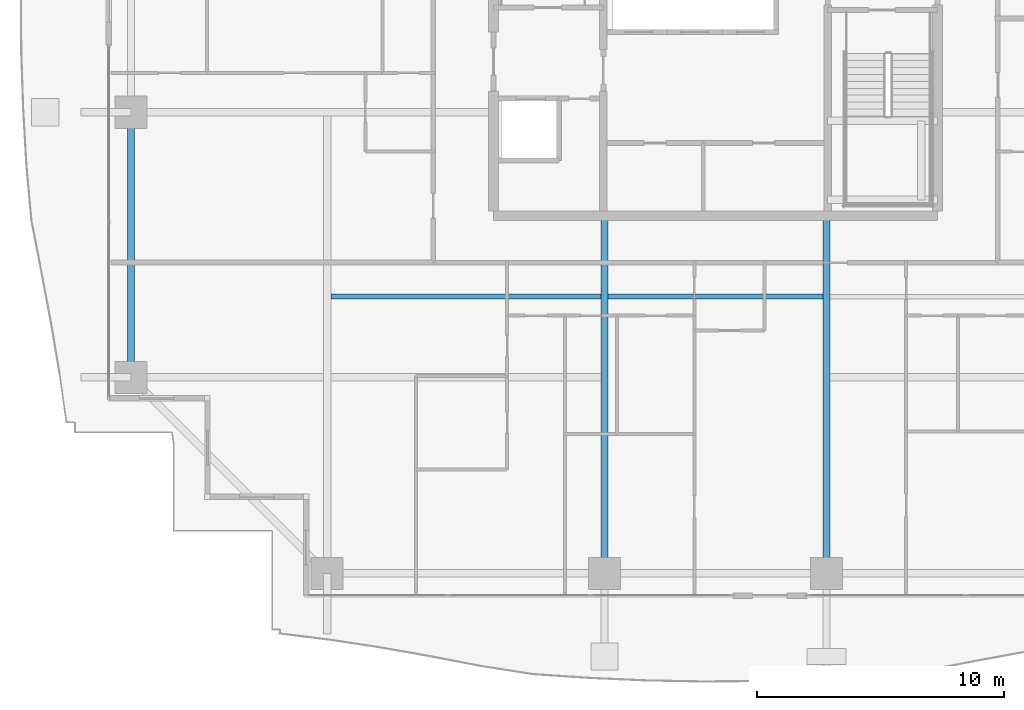
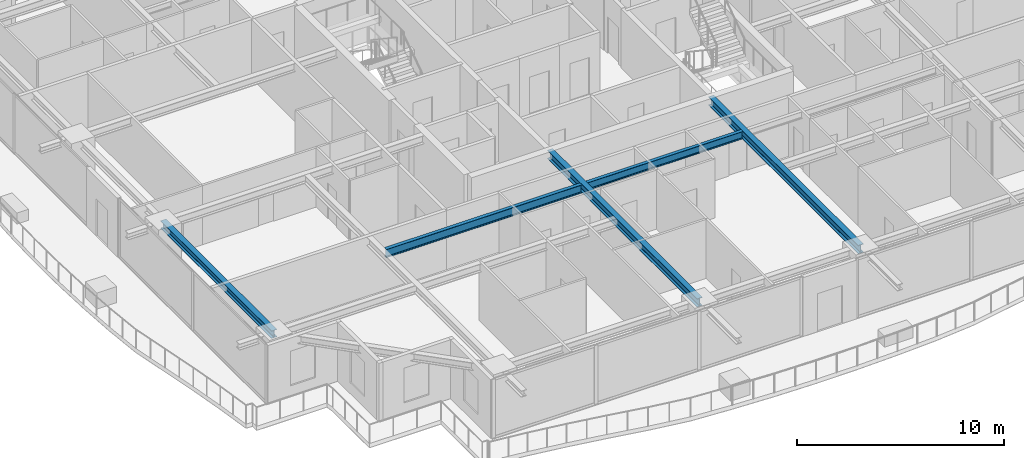
# One storey, part 6 of 34: 5 beams.
"""IFC4 building model written with IfcOpenShell, lengths in metres."""

import ifcopenshell
import ifcopenshell.guid

model = None  # the IFC model being written
_history = None  # IfcOwnerHistory: only IFC2X3 demands one
_inside = {}  # id of a spatial element -> (the spatial element, [elements in it])
_under = {}  # id of a project, library or spatial element -> (it, [spatial elements below it])
_declared = {}  # id of a project -> (the project, [libraries it declares])
_typed = {}  # id of a type object -> (the type object, [elements of that type])
_made_of = {}  # id of a material, layer set ... -> (it, [elements and type objects made of it])


def new_model(schema):
    """Start an empty IFC model of exactly this schema.

    Asked for "IFC4X3", IfcOpenShell would pick the latest addendum, in which some entities
    have other attributes; the version numbers below select the first issue.
    IFC2X3 requires an IfcOwnerHistory on every rooted entity: one is made here for all.
    """
    global model, _history
    if schema == "IFC4X3":
        model = ifcopenshell.file(schema_version=(4, 3, 0, 0))
    else:
        model = ifcopenshell.file(schema=schema)
    _inside.clear()
    _under.clear()
    _declared.clear()
    _typed.clear()
    _made_of.clear()
    _history = None
    if model.schema == "IFC2X3":
        org = make("IfcOrganization", Name="unknown")
        user = make(
            "IfcPersonAndOrganization",
            ThePerson=make("IfcPerson", FamilyName="unknown"),
            TheOrganization=org,
        )
        app = make(
            "IfcApplication",
            ApplicationDeveloper=org,
            Version="unknown",
            ApplicationFullName="unknown",
            ApplicationIdentifier="unknown",
        )
        _history = make(
            "IfcOwnerHistory",
            OwningUser=user,
            OwningApplication=app,
            ChangeAction="ADDED",
            CreationDate=0,
        )
    return model


def make(cls, **values):
    """One entity of the class cls with the attributes given. An attribute that is None is left unset."""
    return model.create_entity(
        cls, **{name: value for name, value in values.items() if value is not None}
    )


def rooted(cls, **values):
    """An entity with a GlobalId (a new one), such as an element, a storey or a relation."""
    return make(cls, GlobalId=ifcopenshell.guid.new(), OwnerHistory=_history, **values)


def si_unit(unit_type, name, prefix=None):
    """IfcSIUnit, for example si_unit("LENGTHUNIT", "METRE", prefix="MILLI")."""
    return make("IfcSIUnit", UnitType=unit_type, Prefix=prefix, Name=name)


def assignment(units):
    """IfcUnitAssignment: the units of a project."""
    return None if units is None else make("IfcUnitAssignment", Units=units)


def point(xyz):
    """IfcCartesianPoint."""
    return None if xyz is None else make("IfcCartesianPoint", Coordinates=xyz)


def direction(xyz):
    """IfcDirection."""
    return None if xyz is None else make("IfcDirection", DirectionRatios=xyz)


def frame(location, z_axis=None, x_axis=None):
    """IfcAxis2Placement3D, a coordinate frame: its origin and axes. An axis left out is left unset."""
    return make(
        "IfcAxis2Placement3D",
        Location=point(location),
        Axis=direction(z_axis),
        RefDirection=direction(x_axis),
    )


def frame_2d(location, x_axis=None):
    """IfcAxis2Placement2D, a coordinate frame in the plane: its origin and x axis."""
    return make(
        "IfcAxis2Placement2D", Location=point(location), RefDirection=direction(x_axis)
    )


def origin():
    """The frame at (0, 0, 0) with its axes left unset."""
    return frame((0.0, 0.0, 0.0))


def origin_2d():
    """The frame at (0, 0) in the plane with its x axis left unset."""
    return frame_2d((0.0, 0.0))


def place(relative_to, where):
    """IfcLocalPlacement: puts the frame where relative to a parent placement (None: the world)."""
    return make(
        "IfcLocalPlacement", PlacementRelTo=relative_to, RelativePlacement=where
    )


def context(
    kind, dimensions, precision=None, world=None, true_north=None, identifier=None
):
    """IfcGeometricRepresentationContext, for example the 3D "Model" context."""
    return make(
        "IfcGeometricRepresentationContext",
        ContextIdentifier=identifier,
        ContextType=kind,
        CoordinateSpaceDimension=dimensions,
        Precision=precision,
        WorldCoordinateSystem=world,
        TrueNorth=true_north,
    )


def subcontext(parent, identifier, kind, view, scale=None):
    """IfcGeometricRepresentationSubContext, for example "Body" below "Model"."""
    return make(
        "IfcGeometricRepresentationSubContext",
        ContextIdentifier=identifier,
        ContextType=kind,
        ParentContext=parent,
        TargetScale=scale,
        TargetView=view,
    )


def project(units=None, contexts=None):
    """IfcProject with its units and contexts."""
    return rooted(
        "IfcProject",
        Name="project",
        RepresentationContexts=contexts,
        UnitsInContext=assignment(units),
    )


def spatial(cls, under=None, at=None, **own):
    """A site, building, storey or space (cls), placed at a placement, below another one or the project."""
    s = rooted(cls, ObjectPlacement=at, **own)
    if under is not None:
        _under.setdefault(under.id(), (under, []))[1].append(s)
    return s


def profile(cls, at=None, kind="AREA", **sizes):
    """A parametric profile (cls). Its sizes go by their IFC names, for example OverallWidth=200.0."""
    return make(cls, ProfileType=kind, Position=at, **sizes)


def i_section(**sizes):
    """IfcIShapeProfileDef."""
    return profile("IfcIShapeProfileDef", **sizes)


def extrude(swept, where, along, depth):
    """IfcExtrudedAreaSolid: the profile swept, set in the frame where, extruded along a direction by depth."""
    return make(
        "IfcExtrudedAreaSolid",
        SweptArea=swept,
        Position=where,
        ExtrudedDirection=direction(along),
        Depth=depth,
    )


def shape(context_of_items, identifier, shape_type, items):
    """IfcShapeRepresentation: the items that make up one representation, for example the "Body"."""
    return make(
        "IfcShapeRepresentation",
        ContextOfItems=context_of_items,
        RepresentationIdentifier=identifier,
        RepresentationType=shape_type,
        Items=items,
    )


def source(mapping_origin, context_of_items, identifier, shape_type, items):
    """IfcRepresentationMap: a shape defined once, which mapped items show again and again."""
    return make(
        "IfcRepresentationMap",
        MappingOrigin=mapping_origin,
        MappedRepresentation=shape(context_of_items, identifier, shape_type, items),
    )


def transform(
    local_origin,
    x_axis=None,
    y_axis=None,
    z_axis=None,
    scale=None,
    scale2=None,
    scale3=None,
    uniform=True,
):
    """IfcCartesianTransformationOperator3D, or its non-uniform kind. x_axis, y_axis, z_axis: its Axis1, 2, 3."""
    if uniform:
        return make(
            "IfcCartesianTransformationOperator3D",
            Axis1=direction(x_axis),
            Axis2=direction(y_axis),
            LocalOrigin=point(local_origin),
            Scale=scale,
            Axis3=direction(z_axis),
        )
    return make(
        "IfcCartesianTransformationOperator3DnonUniform",
        Axis1=direction(x_axis),
        Axis2=direction(y_axis),
        LocalOrigin=point(local_origin),
        Scale=scale,
        Axis3=direction(z_axis),
        Scale2=scale2,
        Scale3=scale3,
    )


def mapped(mapping_source, mapping_target):
    """IfcMappedItem: shows the shape of a source again, moved by a transform."""
    return make(
        "IfcMappedItem", MappingSource=mapping_source, MappingTarget=mapping_target
    )


def material(Name=None, Category=None):
    """IfcMaterial."""
    return make("IfcMaterial", Name=Name, Category=Category)


def material_profile(
    of_material, cross_section, Name=None, Category=None, Priority=None
):
    """IfcMaterialProfile: a cross section and its material."""
    return make(
        "IfcMaterialProfile",
        Name=Name,
        Material=of_material,
        Profile=cross_section,
        Priority=Priority,
        Category=Category,
    )


def profile_set(profiles, Name=None, composite=None):
    """IfcMaterialProfileSet."""
    return make(
        "IfcMaterialProfileSet",
        Name=Name,
        MaterialProfiles=profiles,
        CompositeProfile=composite,
    )


def made_of(thing, what):
    """Note that an element or type object is made of a material, layer set ...; save() writes the relation."""
    if what is not None:
        _made_of.setdefault(what.id(), (what, []))[1].append(thing)
    return thing


def type_object(cls, material=None, **own):
    """A type object (cls), such as IfcWallType, which elements share."""
    return made_of(rooted(cls, **own), material)


def element(
    cls,
    number,
    at=None,
    inside=None,
    cuts=None,
    type_object=None,
    material=None,
    context=None,
    identifier="Body",
    shape_type=None,
    held_by="IfcProductDefinitionShape",
    body=None,
    shapes=None,
    **own,
):
    """One element of the class cls, such as IfcWall. Its Tag is "e" and its number.

    at: its placement. inside: the storey or other place that contains it. cuts: it is an
    opening in that element (IfcRelVoidsElement). A single representation is given by context,
    identifier, shape_type and body (its items); several are given by shapes. held_by: the class
    of the entity that holds the representations. save() writes the other relations.
    """
    e = rooted(cls, Tag="e%d" % number, ObjectPlacement=at, **own)
    if body is not None:
        shapes = [shape(context, identifier, shape_type, body)]
    if shapes is not None:
        e.Representation = make(held_by, Representations=shapes)
    if inside is not None:
        _inside.setdefault(inside.id(), (inside, []))[1].append(e)
    if cuts is not None:
        rooted(
            "IfcRelVoidsElement", RelatingBuildingElement=cuts, RelatedOpeningElement=e
        )
    if type_object is not None:
        _typed.setdefault(type_object.id(), (type_object, []))[1].append(e)
    return made_of(e, material)


def aggregate(whole, parts):
    """IfcRelAggregates: a whole, such as a stair, and the parts it consists of."""
    return rooted("IfcRelAggregates", RelatingObject=whole, RelatedObjects=parts)


def save(model, path):
    """Write the relations noted so far, then the file.

    IfcRelAggregates (storeys below a building ...), IfcRelContainedInSpatialStructure (elements
    in a storey), IfcRelDefinesByType, IfcRelAssociatesMaterial and IfcRelDeclares: one each for
    every whole, place, type object, material and project.
    """
    for whole, parts in _under.values():
        aggregate(whole, parts)
    for where, things in _inside.values():
        rooted(
            "IfcRelContainedInSpatialStructure",
            RelatedElements=things,
            RelatingStructure=where,
        )
    for kind, things in _typed.values():
        rooted("IfcRelDefinesByType", RelatedObjects=things, RelatingType=kind)
    for what, things in _made_of.values():
        rooted("IfcRelAssociatesMaterial", RelatedObjects=things, RelatingMaterial=what)
    for by, libraries in _declared.values():
        rooted("IfcRelDeclares", RelatingContext=by, RelatedDefinitions=libraries)
    model.write(path)


model = new_model("IFC4")

# Units and contexts
model_context = context("Model", 3, precision=1e-05, world=origin(), true_north=direction((0.0, 1.0)))
body_context = subcontext(model_context, "Body", "Model", "MODEL_VIEW")
ifc_project = project(units=[si_unit("LENGTHUNIT", "METRE"), si_unit("AREAUNIT", "SQUARE_METRE"), si_unit("VOLUMEUNIT", "CUBIC_METRE"), si_unit("PLANEANGLEUNIT", "RADIAN"), si_unit("MASSUNIT", "GRAM", prefix="KILO")], contexts=[model_context])

# Site, building, storey
site_placement = place(None, origin())
site = spatial("IfcSite", under=ifc_project, at=site_placement, CompositionType="ELEMENT")
building_placement = place(site_placement, origin())
building = spatial("IfcBuilding", under=site, at=building_placement, Name="Serunith Strait Residences", CompositionType="ELEMENT")
storey_placement = place(building_placement, frame((0.0, 0.0, 187.64990234375)))
storey = spatial("IfcBuildingStorey", under=building, at=storey_placement, Name="L47", CompositionType="ELEMENT", Elevation=187.64990234375)

# Beams
ifc_material = material(Name="Steel S355J2", Category="steel")
ifc_material_profile_1 = material_profile(ifc_material, i_section(OverallWidth=0.18994140625, OverallDepth=0.449951171875, WebThickness=0.009521484375, FlangeThickness=0.0146484375, FilletRadius=0.02099609375, at=origin_2d()), Name="IPE 450")
ifc_profile_set_1 = profile_set([ifc_material_profile_1], Name="Steel S355J2")
beam_type_1 = type_object("IfcBeamType", Name="BM-IPE450", PredefinedType="JOIST", material=ifc_profile_set_1)
shared_shape_1 = source(origin(), body_context, "Body", "SweptSolid", [
    extrude(i_section(OverallWidth=0.18994140625, OverallDepth=0.449951171875, WebThickness=0.009521484375, FlangeThickness=0.0146484375, FilletRadius=0.02099609375, at=origin_2d()), origin(), (0.0, 0.0, 1.0), 8.699951171875),
])
beam_1_placement = place(storey_placement, frame((28.050048828125, 13.52490234375, 3.26220703125), z_axis=(1.0, 0.0, 0.0), x_axis=(0.0, 1.0, 0.0)))
element("IfcBeam", 1, at=beam_1_placement, inside=storey, type_object=beam_type_1, Name="L47 Composite Floor Joist 02", PredefinedType="JOIST", context=body_context, shape_type="MappedRepresentation", body=[
    mapped(shared_shape_1, transform((0.0, 0.0, 0.0), scale=1.0)),
])
ifc_material_profile_2 = material_profile(ifc_material, i_section(OverallWidth=0.300048828125, OverallDepth=0.5, WebThickness=0.014404296875, FlangeThickness=0.028076171875, FilletRadius=0.027099609375, at=origin_2d()), Name="HEB 500")
ifc_profile_set_2 = profile_set([ifc_material_profile_2], Name="Steel S355J2")
beam_type_2 = type_object("IfcBeamType", Name="BM-HEB500", PredefinedType="BEAM", material=ifc_profile_set_2)
shared_shape_2 = source(origin(), body_context, "Body", "SweptSolid", [
    extrude(i_section(OverallWidth=0.300048828125, OverallDepth=0.5, WebThickness=0.014404296875, FlangeThickness=0.028076171875, FilletRadius=0.027099609375, at=origin_2d()), origin(), (0.0, 0.0, 1.0), 14.5),
])
for number, where, z_axis, x_axis, name in (
    (2, (27.89990234375, 16.800048828125, 3.237060546875), (0.0, -1.0, 0.0), (1.0, 0.0, 0.0), "L47 Primary Floor Girder TC-S2"),
    (3, (36.89990234375, 16.800048828125, 3.237060546875), (0.0, -1.0, 0.0), (1.0, 0.0, 0.0), "L47 Primary Floor Girder TC-S3"),
):
    element("IfcBeam", number, at=place(storey_placement, frame(where, z_axis=z_axis, x_axis=x_axis)), inside=storey, type_object=beam_type_2, Name=name, PredefinedType="BEAM", context=body_context, shape_type="MappedRepresentation", body=[
        mapped(shared_shape_2, transform((0.0, 0.0, 0.0), scale=1.0)),
    ])
ifc_material_profile_3 = material_profile(ifc_material, i_section(OverallWidth=0.300048828125, OverallDepth=0.449951171875, WebThickness=0.013916015625, FlangeThickness=0.02587890625, FilletRadius=0.027099609375, at=origin_2d()), Name="HEB 450")
ifc_profile_set_3 = profile_set([ifc_material_profile_3], Name="Steel S355J2")
beam_type_3 = type_object("IfcBeamType", Name="BM-HEB450", PredefinedType="BEAM", material=ifc_profile_set_3)
shared_shape_3 = source(origin(), body_context, "Body", "SweptSolid", [
    extrude(i_section(OverallWidth=0.300048828125, OverallDepth=0.449951171875, WebThickness=0.013916015625, FlangeThickness=0.02587890625, FilletRadius=0.027099609375, at=origin_2d()), origin(), (0.0, 0.0, 1.0), 10.75),
])
beam_2_placement = place(storey_placement, frame((8.699951171875, 21.0, 3.26220703125), z_axis=(0.0, -1.0, 0.0), x_axis=(1.0, 0.0, 0.0)))
element("IfcBeam", 4, at=beam_2_placement, inside=storey, type_object=beam_type_3, Name="L47 Perimeter Ring Beam 15", PredefinedType="BEAM", context=body_context, shape_type="MappedRepresentation", body=[
    mapped(shared_shape_3, transform((0.0, 0.0, 0.0), scale=1.0)),
])
ifc_material_profile_4 = material_profile(ifc_material, i_section(OverallWidth=0.199951171875, OverallDepth=0.5, WebThickness=0.01025390625, FlangeThickness=0.01611328125, FilletRadius=0.02099609375, at=origin_2d()), Name="IPE 500")
ifc_profile_set_4 = profile_set([ifc_material_profile_4], Name="Steel S355J2")
beam_type_4 = type_object("IfcBeamType", Name="BM-IPE500", PredefinedType="JOIST", material=ifc_profile_set_4)
shared_shape_4 = source(origin(), body_context, "Body", "SweptSolid", [
    extrude(i_section(OverallWidth=0.199951171875, OverallDepth=0.5, WebThickness=0.01025390625, FlangeThickness=0.01611328125, FilletRadius=0.02099609375, at=origin_2d()), origin(), (0.0, 0.0, 1.0), 10.949951171875),
])
beam_3_placement = place(storey_placement, frame((16.800048828125, 13.52490234375, 3.237060546875), z_axis=(1.0, 0.0, 0.0), x_axis=(0.0, 1.0, 0.0)))
element("IfcBeam", 5, at=beam_3_placement, inside=storey, type_object=beam_type_4, Name="L47 Composite Floor Joist 01", PredefinedType="JOIST", context=body_context, shape_type="MappedRepresentation", body=[
    mapped(shared_shape_4, transform((0.0, 0.0, 0.0), scale=1.0)),
])

save(model, "model.ifc")
